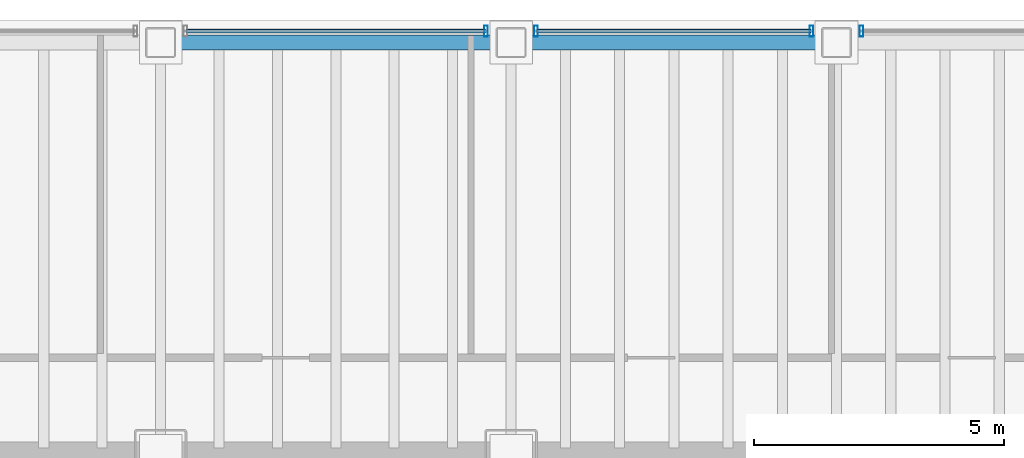
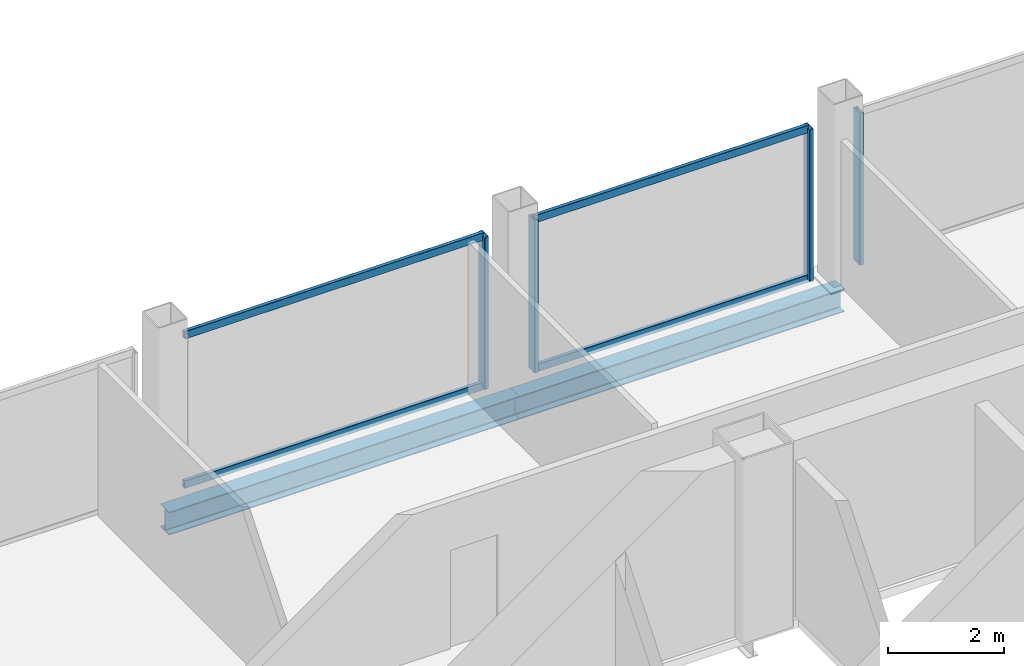
# One storey, part 14 of 20: 8 members, 2 beams, 3 elements without a shape of their own.
"""IFC4 building model written with IfcOpenShell, lengths in metres."""

from ifc_helpers import new_model, si_unit, direction, frame, origin, origin_2d, place, context, subcontext, project, spatial, hollow_rectangle, i_section, extrude, material, material_profile, profile_set, type_object, element, aggregate, save


model = new_model("IFC4")

# Units and contexts
model_context = context("Model", 3, precision=1e-05, world=origin(), true_north=direction((0.0, 1.0)))
body_context = subcontext(model_context, "Body", "Model", "MODEL_VIEW")
ifc_project = project(units=[si_unit("LENGTHUNIT", "METRE"), si_unit("AREAUNIT", "SQUARE_METRE"), si_unit("VOLUMEUNIT", "CUBIC_METRE"), si_unit("PLANEANGLEUNIT", "RADIAN"), si_unit("MASSUNIT", "GRAM", prefix="KILO")], contexts=[model_context])

# Site, building, storey
site_placement = place(None, origin())
site = spatial("IfcSite", under=ifc_project, at=site_placement, CompositionType="ELEMENT")
building_placement = place(site_placement, origin())
building = spatial("IfcBuilding", under=site, at=building_placement, Name="Noeulbin Bourse Tower", CompositionType="ELEMENT")
storey_placement = place(building_placement, frame((0.0, 0.0, 73.300048828125)))
storey = spatial("IfcBuildingStorey", under=building, at=storey_placement, Name="L18", CompositionType="ELEMENT", Elevation=73.300048828125)

# Beams
ifc_material_1 = material(Name="Steel S355", Category="steel")
ifc_material_profile_1 = material_profile(ifc_material_1, i_section(OverallWidth=0.300048828125, OverallDepth=0.488037109375, WebThickness=0.010986328125, FlangeThickness=0.01806640625, FilletRadius=0.02197265625, at=origin_2d()), Name="H-488x300x11x18", Category="LoadBearing")
ifc_profile_set_1 = profile_set([ifc_material_profile_1], Name="Steel S355")
beam_type = type_object("IfcBeamType", Name="BM-SPN-488", PredefinedType="SPANDREL", material=ifc_profile_set_1)
beam_1_placement = place(storey_placement, frame((24.0, 46.550048828125, -0.424072265625), z_axis=(1.0, 0.0, 0.0), x_axis=(0.0, 1.0, 0.0)))
element("IfcBeam", 1, at=beam_1_placement, inside=storey, type_object=beam_type, Name="North Spandrel L18-2", PredefinedType="SPANDREL", context=body_context, shape_type="SweptSolid", body=[
    extrude(i_section(OverallWidth=0.300048828125, OverallDepth=0.488037109375, WebThickness=0.010986328125, FlangeThickness=0.01806640625, FilletRadius=0.02197265625, at=origin_2d()), origin(), (0.0, 0.0, 1.0), 7.0),
])
beam_2_placement = place(storey_placement, frame((31.0, 46.550048828125, -0.424072265625), z_axis=(1.0, 0.0, 0.0), x_axis=(0.0, 1.0, 0.0)))
element("IfcBeam", 2, at=beam_2_placement, inside=storey, type_object=beam_type, Name="North Spandrel L18-3", PredefinedType="SPANDREL", context=body_context, shape_type="SweptSolid", body=[
    extrude(i_section(OverallWidth=0.300048828125, OverallDepth=0.488037109375, WebThickness=0.010986328125, FlangeThickness=0.01806640625, FilletRadius=0.02197265625, at=origin_2d()), origin(), (0.0, 0.0, 1.0), 6.5),
])

# Curtain wall, member
ifc_material_2 = material(Name="Dark Solar-Control Double Glazing", Category="glass")
curtain_wall_type = type_object("IfcCurtainWallType", Name="CW-SYS-2", PredefinedType="NOTDEFINED", material=ifc_material_2)
curtain_wall_1_placement = place(storey_placement, origin())
curtain_wall_1 = element("IfcCurtainWall", 3, at=curtain_wall_1_placement, inside=storey, type_object=curtain_wall_type, Name="Unitised Curtain Wall CW-L18-N-S3", PredefinedType="NOTDEFINED")
ifc_material_3 = material(Name="Anodised Aluminium 6063-T6", Category="aluminium")
ifc_material_profile_2 = material_profile(ifc_material_3, hollow_rectangle(XDim=0.074951171875, YDim=0.219970703125, WallThickness=0.0048828125, InnerFilletRadius=0.00244140625, OuterFilletRadius=0.0048828125, at=origin_2d()), Name="ALU-MULL-75x220x5", Category="LoadBearing")
ifc_profile_set_2 = profile_set([ifc_material_profile_2], Name="Anodised Aluminium 6063-T6")
member_type_1 = type_object("IfcMemberType", Name="CW-SYS-2-MUL", PredefinedType="MULLION", material=ifc_profile_set_2)
member_1_placement = place(storey_placement, frame((30.5, 46.780029296875, -0.02001953125), z_axis=(0.0, 0.0, 1.0), x_axis=(1.0, 0.0, 0.0)))
member_1 = element("IfcMember", 4, at=member_1_placement, type_object=member_type_1, Name="Curtain Wall Mullion CW-L18-N-S3-M01", PredefinedType="MULLION", context=body_context, shape_type="SweptSolid", body=[
    extrude(hollow_rectangle(XDim=0.074951171875, YDim=0.219970703125, WallThickness=0.0048828125, InnerFilletRadius=0.00244140625, OuterFilletRadius=0.0048828125, at=origin_2d()), origin(), (0.0, 0.0, 1.0), 3.219970703125),
])

# Curtain wall, members
curtain_wall_2_placement = place(storey_placement, origin())
curtain_wall_2 = element("IfcCurtainWall", 5, at=curtain_wall_2_placement, inside=storey, type_object=curtain_wall_type, Name="Unitised Curtain Wall CW-L18-N-S4", PredefinedType="NOTDEFINED")
member_2_placement = place(storey_placement, frame((31.5, 46.780029296875, -0.02001953125), z_axis=(0.0, 0.0, 1.0), x_axis=(1.0, 0.0, 0.0)))
member_2 = element("IfcMember", 6, at=member_2_placement, type_object=member_type_1, Name="Curtain Wall Mullion CW-L18-N-S4-M00", PredefinedType="MULLION", context=body_context, shape_type="SweptSolid", body=[
    extrude(hollow_rectangle(XDim=0.074951171875, YDim=0.219970703125, WallThickness=0.0048828125, InnerFilletRadius=0.00244140625, OuterFilletRadius=0.0048828125, at=origin_2d()), origin(), (0.0, 0.0, 1.0), 3.219970703125),
])
member_3_placement = place(storey_placement, frame((37.0, 46.780029296875, -0.02001953125), z_axis=(0.0, 0.0, 1.0), x_axis=(1.0, 0.0, 0.0)))
member_3 = element("IfcMember", 7, at=member_3_placement, type_object=member_type_1, Name="Curtain Wall Mullion CW-L18-N-S4-M01", PredefinedType="MULLION", context=body_context, shape_type="SweptSolid", body=[
    extrude(hollow_rectangle(XDim=0.074951171875, YDim=0.219970703125, WallThickness=0.0048828125, InnerFilletRadius=0.00244140625, OuterFilletRadius=0.0048828125, at=origin_2d()), origin(), (0.0, 0.0, 1.0), 3.219970703125),
])

# Curtain wall, member
curtain_wall_3_placement = place(storey_placement, origin())
curtain_wall_3 = element("IfcCurtainWall", 8, at=curtain_wall_3_placement, inside=storey, type_object=curtain_wall_type, Name="Unitised Curtain Wall CW-L18-N-S5", PredefinedType="NOTDEFINED")
member_4_placement = place(storey_placement, frame((38.0, 46.780029296875, -0.02001953125), z_axis=(0.0, 0.0, 1.0), x_axis=(1.0, 0.0, 0.0)))
member_4 = element("IfcMember", 9, at=member_4_placement, type_object=member_type_1, Name="Curtain Wall Mullion CW-L18-N-S5-M00", PredefinedType="MULLION", context=body_context, shape_type="SweptSolid", body=[
    extrude(hollow_rectangle(XDim=0.074951171875, YDim=0.219970703125, WallThickness=0.0048828125, InnerFilletRadius=0.00244140625, OuterFilletRadius=0.0048828125, at=origin_2d()), origin(), (0.0, 0.0, 1.0), 3.219970703125),
])
aggregate(curtain_wall_3, [member_4])

# Member
ifc_material_profile_3 = material_profile(ifc_material_3, hollow_rectangle(XDim=0.074951171875, YDim=0.159912109375, WallThickness=0.0048828125, InnerFilletRadius=0.00244140625, OuterFilletRadius=0.0048828125, at=origin_2d()), Name="ALU-TRAN-75x160x5", Category="LoadBearing")
ifc_profile_set_3 = profile_set([ifc_material_profile_3], Name="Anodised Aluminium 6063-T6")
member_type_2 = type_object("IfcMemberType", Name="CW-SYS-2-TRN", PredefinedType="USERDEFINED", material=ifc_profile_set_3)
member_5_placement = place(storey_placement, frame((24.510009765625, 46.780029296875, 0.010009765625), z_axis=(1.0, 0.0, 0.0), x_axis=(0.0, 1.0, 0.0)))
member_5 = element("IfcMember", 10, at=member_5_placement, type_object=member_type_2, Name="Curtain Wall Transom CW-L18-N-S3-T00", ObjectType="TRANSOM", PredefinedType="USERDEFINED", context=body_context, shape_type="SweptSolid", body=[
    extrude(hollow_rectangle(XDim=0.074951171875, YDim=0.159912109375, WallThickness=0.0048828125, InnerFilletRadius=0.00244140625, OuterFilletRadius=0.0048828125, at=origin_2d()), origin(), (0.0, 0.0, 1.0), 5.97998046875),
])

member_6_placement = place(storey_placement, frame((24.510009765625, 46.780029296875, 3.169921875), z_axis=(1.0, 0.0, 0.0), x_axis=(0.0, 1.0, 0.0)))
member_6 = element("IfcMember", 11, at=member_6_placement, type_object=member_type_2, Name="Curtain Wall Transom CW-L18-N-S3-T01", ObjectType="TRANSOM", PredefinedType="USERDEFINED", context=body_context, shape_type="SweptSolid", body=[
    extrude(hollow_rectangle(XDim=0.074951171875, YDim=0.159912109375, WallThickness=0.0048828125, InnerFilletRadius=0.00244140625, OuterFilletRadius=0.0048828125, at=origin_2d()), origin(), (0.0, 0.0, 1.0), 5.97998046875),
])

aggregate(curtain_wall_1, [member_1, member_5, member_6])

member_7_placement = place(storey_placement, frame((31.510009765625, 46.780029296875, 0.010009765625), z_axis=(1.0, 0.0, 0.0), x_axis=(0.0, 1.0, 0.0)))
member_7 = element("IfcMember", 12, at=member_7_placement, type_object=member_type_2, Name="Curtain Wall Transom CW-L18-N-S4-T00", ObjectType="TRANSOM", PredefinedType="USERDEFINED", context=body_context, shape_type="SweptSolid", body=[
    extrude(hollow_rectangle(XDim=0.074951171875, YDim=0.159912109375, WallThickness=0.0048828125, InnerFilletRadius=0.00244140625, OuterFilletRadius=0.0048828125, at=origin_2d()), origin(), (0.0, 0.0, 1.0), 5.47998046875),
])

member_8_placement = place(storey_placement, frame((31.510009765625, 46.780029296875, 3.169921875), z_axis=(1.0, 0.0, 0.0), x_axis=(0.0, 1.0, 0.0)))
member_8 = element("IfcMember", 13, at=member_8_placement, type_object=member_type_2, Name="Curtain Wall Transom CW-L18-N-S4-T01", ObjectType="TRANSOM", PredefinedType="USERDEFINED", context=body_context, shape_type="SweptSolid", body=[
    extrude(hollow_rectangle(XDim=0.074951171875, YDim=0.159912109375, WallThickness=0.0048828125, InnerFilletRadius=0.00244140625, OuterFilletRadius=0.0048828125, at=origin_2d()), origin(), (0.0, 0.0, 1.0), 5.47998046875),
])

aggregate(curtain_wall_2, [member_2, member_3, member_7, member_8])

save(model, "model.ifc")
